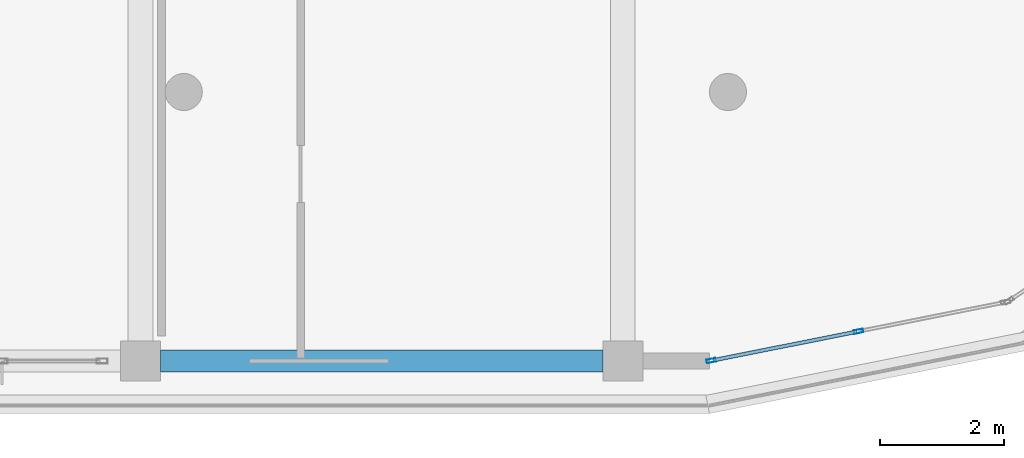
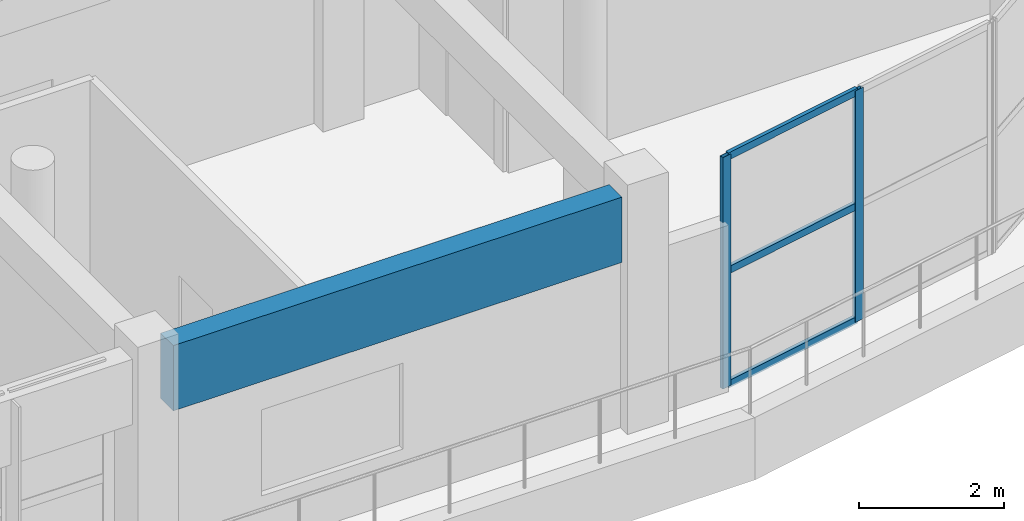
# One storey, part 28 of 57: 5 members, 1 beam, 1 element without a shape of its own.
"""IFC4 building model written with IfcOpenShell, lengths in metres."""

import ifcopenshell
import ifcopenshell.guid

model = None  # the IFC model being written
_history = None  # IfcOwnerHistory: only IFC2X3 demands one
_inside = {}  # id of a spatial element -> (the spatial element, [elements in it])
_under = {}  # id of a project, library or spatial element -> (it, [spatial elements below it])
_declared = {}  # id of a project -> (the project, [libraries it declares])
_typed = {}  # id of a type object -> (the type object, [elements of that type])
_made_of = {}  # id of a material, layer set ... -> (it, [elements and type objects made of it])


def new_model(schema):
    """Start an empty IFC model of exactly this schema.

    Asked for "IFC4X3", IfcOpenShell would pick the latest addendum, in which some entities
    have other attributes; the version numbers below select the first issue.
    IFC2X3 requires an IfcOwnerHistory on every rooted entity: one is made here for all.
    """
    global model, _history
    if schema == "IFC4X3":
        model = ifcopenshell.file(schema_version=(4, 3, 0, 0))
    else:
        model = ifcopenshell.file(schema=schema)
    _inside.clear()
    _under.clear()
    _declared.clear()
    _typed.clear()
    _made_of.clear()
    _history = None
    if model.schema == "IFC2X3":
        org = make("IfcOrganization", Name="unknown")
        user = make(
            "IfcPersonAndOrganization",
            ThePerson=make("IfcPerson", FamilyName="unknown"),
            TheOrganization=org,
        )
        app = make(
            "IfcApplication",
            ApplicationDeveloper=org,
            Version="unknown",
            ApplicationFullName="unknown",
            ApplicationIdentifier="unknown",
        )
        _history = make(
            "IfcOwnerHistory",
            OwningUser=user,
            OwningApplication=app,
            ChangeAction="ADDED",
            CreationDate=0,
        )
    return model


def make(cls, **values):
    """One entity of the class cls with the attributes given. An attribute that is None is left unset."""
    return model.create_entity(
        cls, **{name: value for name, value in values.items() if value is not None}
    )


def rooted(cls, **values):
    """An entity with a GlobalId (a new one), such as an element, a storey or a relation."""
    return make(cls, GlobalId=ifcopenshell.guid.new(), OwnerHistory=_history, **values)


def si_unit(unit_type, name, prefix=None):
    """IfcSIUnit, for example si_unit("LENGTHUNIT", "METRE", prefix="MILLI")."""
    return make("IfcSIUnit", UnitType=unit_type, Prefix=prefix, Name=name)


def assignment(units):
    """IfcUnitAssignment: the units of a project."""
    return None if units is None else make("IfcUnitAssignment", Units=units)


def point(xyz):
    """IfcCartesianPoint."""
    return None if xyz is None else make("IfcCartesianPoint", Coordinates=xyz)


def direction(xyz):
    """IfcDirection."""
    return None if xyz is None else make("IfcDirection", DirectionRatios=xyz)


def frame(location, z_axis=None, x_axis=None):
    """IfcAxis2Placement3D, a coordinate frame: its origin and axes. An axis left out is left unset."""
    return make(
        "IfcAxis2Placement3D",
        Location=point(location),
        Axis=direction(z_axis),
        RefDirection=direction(x_axis),
    )


def frame_2d(location, x_axis=None):
    """IfcAxis2Placement2D, a coordinate frame in the plane: its origin and x axis."""
    return make(
        "IfcAxis2Placement2D", Location=point(location), RefDirection=direction(x_axis)
    )


def origin():
    """The frame at (0, 0, 0) with its axes left unset."""
    return frame((0.0, 0.0, 0.0))


def origin_2d():
    """The frame at (0, 0) in the plane with its x axis left unset."""
    return frame_2d((0.0, 0.0))


def place(relative_to, where):
    """IfcLocalPlacement: puts the frame where relative to a parent placement (None: the world)."""
    return make(
        "IfcLocalPlacement", PlacementRelTo=relative_to, RelativePlacement=where
    )


def context(
    kind, dimensions, precision=None, world=None, true_north=None, identifier=None
):
    """IfcGeometricRepresentationContext, for example the 3D "Model" context."""
    return make(
        "IfcGeometricRepresentationContext",
        ContextIdentifier=identifier,
        ContextType=kind,
        CoordinateSpaceDimension=dimensions,
        Precision=precision,
        WorldCoordinateSystem=world,
        TrueNorth=true_north,
    )


def subcontext(parent, identifier, kind, view, scale=None):
    """IfcGeometricRepresentationSubContext, for example "Body" below "Model"."""
    return make(
        "IfcGeometricRepresentationSubContext",
        ContextIdentifier=identifier,
        ContextType=kind,
        ParentContext=parent,
        TargetScale=scale,
        TargetView=view,
    )


def project(units=None, contexts=None):
    """IfcProject with its units and contexts."""
    return rooted(
        "IfcProject",
        Name="project",
        RepresentationContexts=contexts,
        UnitsInContext=assignment(units),
    )


def spatial(cls, under=None, at=None, **own):
    """A site, building, storey or space (cls), placed at a placement, below another one or the project."""
    s = rooted(cls, ObjectPlacement=at, **own)
    if under is not None:
        _under.setdefault(under.id(), (under, []))[1].append(s)
    return s


def profile(cls, at=None, kind="AREA", **sizes):
    """A parametric profile (cls). Its sizes go by their IFC names, for example OverallWidth=200.0."""
    return make(cls, ProfileType=kind, Position=at, **sizes)


def rectangle(**sizes):
    """IfcRectangleProfileDef."""
    return profile("IfcRectangleProfileDef", **sizes)


def hollow_rectangle(**sizes):
    """IfcRectangleHollowProfileDef."""
    return profile("IfcRectangleHollowProfileDef", **sizes)


def extrude(swept, where, along, depth):
    """IfcExtrudedAreaSolid: the profile swept, set in the frame where, extruded along a direction by depth."""
    return make(
        "IfcExtrudedAreaSolid",
        SweptArea=swept,
        Position=where,
        ExtrudedDirection=direction(along),
        Depth=depth,
    )


def shape(context_of_items, identifier, shape_type, items):
    """IfcShapeRepresentation: the items that make up one representation, for example the "Body"."""
    return make(
        "IfcShapeRepresentation",
        ContextOfItems=context_of_items,
        RepresentationIdentifier=identifier,
        RepresentationType=shape_type,
        Items=items,
    )


def material(Name=None, Category=None):
    """IfcMaterial."""
    return make("IfcMaterial", Name=Name, Category=Category)


def layer(
    of_material, thickness, ventilated=None, Name=None, Category=None, Priority=None
):
    """IfcMaterialLayer: one layer of a wall or slab, of a material (None: an air gap)."""
    return make(
        "IfcMaterialLayer",
        Material=of_material,
        LayerThickness=thickness,
        IsVentilated=ventilated,
        Name=Name,
        Category=Category,
        Priority=Priority,
    )


def layer_set(layers, Name=None):
    """IfcMaterialLayerSet."""
    return make("IfcMaterialLayerSet", MaterialLayers=layers, LayerSetName=Name)


def material_profile(
    of_material, cross_section, Name=None, Category=None, Priority=None
):
    """IfcMaterialProfile: a cross section and its material."""
    return make(
        "IfcMaterialProfile",
        Name=Name,
        Material=of_material,
        Profile=cross_section,
        Priority=Priority,
        Category=Category,
    )


def profile_set(profiles, Name=None, composite=None):
    """IfcMaterialProfileSet."""
    return make(
        "IfcMaterialProfileSet",
        Name=Name,
        MaterialProfiles=profiles,
        CompositeProfile=composite,
    )


def made_of(thing, what):
    """Note that an element or type object is made of a material, layer set ...; save() writes the relation."""
    if what is not None:
        _made_of.setdefault(what.id(), (what, []))[1].append(thing)
    return thing


def type_object(cls, material=None, **own):
    """A type object (cls), such as IfcWallType, which elements share."""
    return made_of(rooted(cls, **own), material)


def element(
    cls,
    number,
    at=None,
    inside=None,
    cuts=None,
    type_object=None,
    material=None,
    context=None,
    identifier="Body",
    shape_type=None,
    held_by="IfcProductDefinitionShape",
    body=None,
    shapes=None,
    **own,
):
    """One element of the class cls, such as IfcWall. Its Tag is "e" and its number.

    at: its placement. inside: the storey or other place that contains it. cuts: it is an
    opening in that element (IfcRelVoidsElement). A single representation is given by context,
    identifier, shape_type and body (its items); several are given by shapes. held_by: the class
    of the entity that holds the representations. save() writes the other relations.
    """
    e = rooted(cls, Tag="e%d" % number, ObjectPlacement=at, **own)
    if body is not None:
        shapes = [shape(context, identifier, shape_type, body)]
    if shapes is not None:
        e.Representation = make(held_by, Representations=shapes)
    if inside is not None:
        _inside.setdefault(inside.id(), (inside, []))[1].append(e)
    if cuts is not None:
        rooted(
            "IfcRelVoidsElement", RelatingBuildingElement=cuts, RelatedOpeningElement=e
        )
    if type_object is not None:
        _typed.setdefault(type_object.id(), (type_object, []))[1].append(e)
    return made_of(e, material)


def aggregate(whole, parts):
    """IfcRelAggregates: a whole, such as a stair, and the parts it consists of."""
    return rooted("IfcRelAggregates", RelatingObject=whole, RelatedObjects=parts)


def save(model, path):
    """Write the relations noted so far, then the file.

    IfcRelAggregates (storeys below a building ...), IfcRelContainedInSpatialStructure (elements
    in a storey), IfcRelDefinesByType, IfcRelAssociatesMaterial and IfcRelDeclares: one each for
    every whole, place, type object, material and project.
    """
    for whole, parts in _under.values():
        aggregate(whole, parts)
    for where, things in _inside.values():
        rooted(
            "IfcRelContainedInSpatialStructure",
            RelatedElements=things,
            RelatingStructure=where,
        )
    for kind, things in _typed.values():
        rooted("IfcRelDefinesByType", RelatedObjects=things, RelatingType=kind)
    for what, things in _made_of.values():
        rooted("IfcRelAssociatesMaterial", RelatedObjects=things, RelatingMaterial=what)
    for by, libraries in _declared.values():
        rooted("IfcRelDeclares", RelatingContext=by, RelatedDefinitions=libraries)
    model.write(path)


model = new_model("IFC4")

# Units and contexts
model_context = context("Model", 3, precision=1e-05, world=origin(), true_north=direction((0.0, 1.0)))
body_context = subcontext(model_context, "Body", "Model", "MODEL_VIEW")
ifc_project = project(units=[si_unit("LENGTHUNIT", "METRE"), si_unit("AREAUNIT", "SQUARE_METRE"), si_unit("VOLUMEUNIT", "CUBIC_METRE"), si_unit("PLANEANGLEUNIT", "RADIAN"), si_unit("MASSUNIT", "GRAM", prefix="KILO")], contexts=[model_context])

# Site, building, storey
site_placement = place(None, origin())
site = spatial("IfcSite", under=ifc_project, at=site_placement, CompositionType="ELEMENT")
building_placement = place(site_placement, origin())
building = spatial("IfcBuilding", under=site, at=building_placement, Name="Zizhar Promenade General Hospital", CompositionType="ELEMENT")
storey_placement = place(building_placement, frame((0.0, 0.0, 22.199951171875)))
storey = spatial("IfcBuildingStorey", under=building, at=storey_placement, Name="L05", CompositionType="ELEMENT", Elevation=22.199951171875)

# Beam
ifc_material_1 = material(Name="Precast concrete C40/50", Category="concrete")
ifc_material_profile_1 = material_profile(ifc_material_1, rectangle(XDim=0.35009765625, YDim=1.10009765625, at=origin_2d()))
ifc_profile_set_1 = profile_set([ifc_material_profile_1], Name="Precast concrete C40/50")
beam_type = type_object("IfcBeamType", Name="BM-PC-BAND1100", PredefinedType="SPANDREL", material=ifc_profile_set_1)
beam_placement = place(storey_placement, frame((109.52490234375, 0.0, 3.360107421875), z_axis=(1.0, 0.0, 0.0), x_axis=(0.0, 1.0, 0.0)))
element("IfcBeam", 1, at=beam_placement, inside=storey, type_object=beam_type, Name="Grid Beam X L05 (14-0)", PredefinedType="SPANDREL", context=body_context, shape_type="SweptSolid", body=[
    extrude(rectangle(XDim=0.35009765625, YDim=1.10009765625, at=origin_2d()), origin(), (0.0, 0.0, 1.0), 7.150146484375),
])

# Curtain wall, members
ifc_material_2 = material(Name="Anodised aluminium 6063-T6 and low-E glass", Category="aluminium")
ifc_layer = layer(ifc_material_2, 0.159912109375)
ifc_layer_set = layer_set([ifc_layer], Name="Anodised aluminium 6063-T6 and low-E glass")
curtain_wall_type = type_object("IfcCurtainWallType", Name="CW-WARD-ARC", PredefinedType="NOTDEFINED", material=ifc_layer_set)
curtain_wall_placement = place(storey_placement, origin())
curtain_wall = element("IfcCurtainWall", 2, at=curtain_wall_placement, inside=storey, type_object=curtain_wall_type, Name="Ward Semicircular End Glazing L05-01", PredefinedType="NOTDEFINED")
ifc_material_3 = material(Name="Anodised aluminium 6063-T6", Category="aluminium")
ifc_material_profile_2 = material_profile(ifc_material_3, hollow_rectangle(XDim=0.06005859375, YDim=0.14990234375, WallThickness=0.00390625, at=origin_2d()))
ifc_profile_set_2 = profile_set([ifc_material_profile_2], Name="Anodised aluminium 6063-T6")
member_type_1 = type_object("IfcMemberType", Name="CWM-ALU-150x60", PredefinedType="MULLION", material=ifc_profile_set_2)
member_1_placement = place(storey_placement, frame((120.810791015625, 0.4794921875, 0.0), z_axis=(0.0, 0.0, 1.0), x_axis=(0.195087259275, -0.980785889615, 0.0)))
member_1 = element("IfcMember", 3, at=member_1_placement, type_object=member_type_1, Name="CW-12 mullion 2", PredefinedType="MULLION", context=body_context, shape_type="SweptSolid", body=[
    extrude(hollow_rectangle(XDim=0.06005859375, YDim=0.14990234375, WallThickness=0.00390625, at=origin_2d()), origin(), (0.0, 0.0, 1.0), 3.900146484375),
])
member_2_placement = place(storey_placement, frame((118.429443359375, 0.005859375, 0.0), z_axis=(0.0, 0.0, 1.0), x_axis=(0.195087259275, -0.980785889615, 0.0)))
member_2 = element("IfcMember", 4, at=member_2_placement, type_object=member_type_1, Name="CW-12 mullion 3", PredefinedType="MULLION", context=body_context, shape_type="SweptSolid", body=[
    extrude(hollow_rectangle(XDim=0.06005859375, YDim=0.14990234375, WallThickness=0.00390625, at=origin_2d()), origin(), (0.0, 0.0, 1.0), 3.900146484375),
])
ifc_material_4 = material(Name="Anodised aluminium 6063-T6", Category="aluminium")
ifc_material_profile_3 = material_profile(ifc_material_4, hollow_rectangle(XDim=0.06005859375, YDim=0.1201171875, WallThickness=0.00390625, at=origin_2d()))
ifc_profile_set_3 = profile_set([ifc_material_profile_3], Name="Anodised aluminium 6063-T6")
member_type_2 = type_object("IfcMemberType", Name="CWT-ALU-120x60", PredefinedType="USERDEFINED", material=ifc_profile_set_3)
member_3_placement = place(storey_placement, frame((120.781494140625, 0.4736328125, 0.030029296875), z_axis=(-0.980794200422, -0.195045472693, 0.0), x_axis=(0.195045472693, -0.980794200422, 0.0)))
member_3 = element("IfcMember", 5, at=member_3_placement, type_object=member_type_2, Name="CW-12 transom 2.1", ObjectType="TRANSOM", PredefinedType="USERDEFINED", context=body_context, shape_type="SweptSolid", body=[
    extrude(hollow_rectangle(XDim=0.06005859375, YDim=0.1201171875, WallThickness=0.00390625, at=origin_2d()), origin(), (0.0, 0.0, 1.0), 2.3681640625),
])
member_4_placement = place(storey_placement, frame((120.781494140625, 0.4736328125, 1.949951171875), z_axis=(-0.980794200422, -0.195045472693, 0.0), x_axis=(0.195045472693, -0.980794200422, 0.0)))
member_4 = element("IfcMember", 6, at=member_4_placement, type_object=member_type_2, Name="CW-12 transom 2.2", ObjectType="TRANSOM", PredefinedType="USERDEFINED", context=body_context, shape_type="SweptSolid", body=[
    extrude(hollow_rectangle(XDim=0.06005859375, YDim=0.1201171875, WallThickness=0.00390625, at=origin_2d()), origin(), (0.0, 0.0, 1.0), 2.3681640625),
])
member_5_placement = place(storey_placement, frame((120.781494140625, 0.4736328125, 3.8701171875), z_axis=(-0.980794200422, -0.195045472693, 0.0), x_axis=(0.195045472693, -0.980794200422, 0.0)))
member_5 = element("IfcMember", 7, at=member_5_placement, type_object=member_type_2, Name="CW-12 transom 2.3", ObjectType="TRANSOM", PredefinedType="USERDEFINED", context=body_context, shape_type="SweptSolid", body=[
    extrude(hollow_rectangle(XDim=0.06005859375, YDim=0.1201171875, WallThickness=0.00390625, at=origin_2d()), origin(), (0.0, 0.0, 1.0), 2.3681640625),
])
aggregate(curtain_wall, [member_1, member_2, member_3, member_4, member_5])

save(model, "model.ifc")
